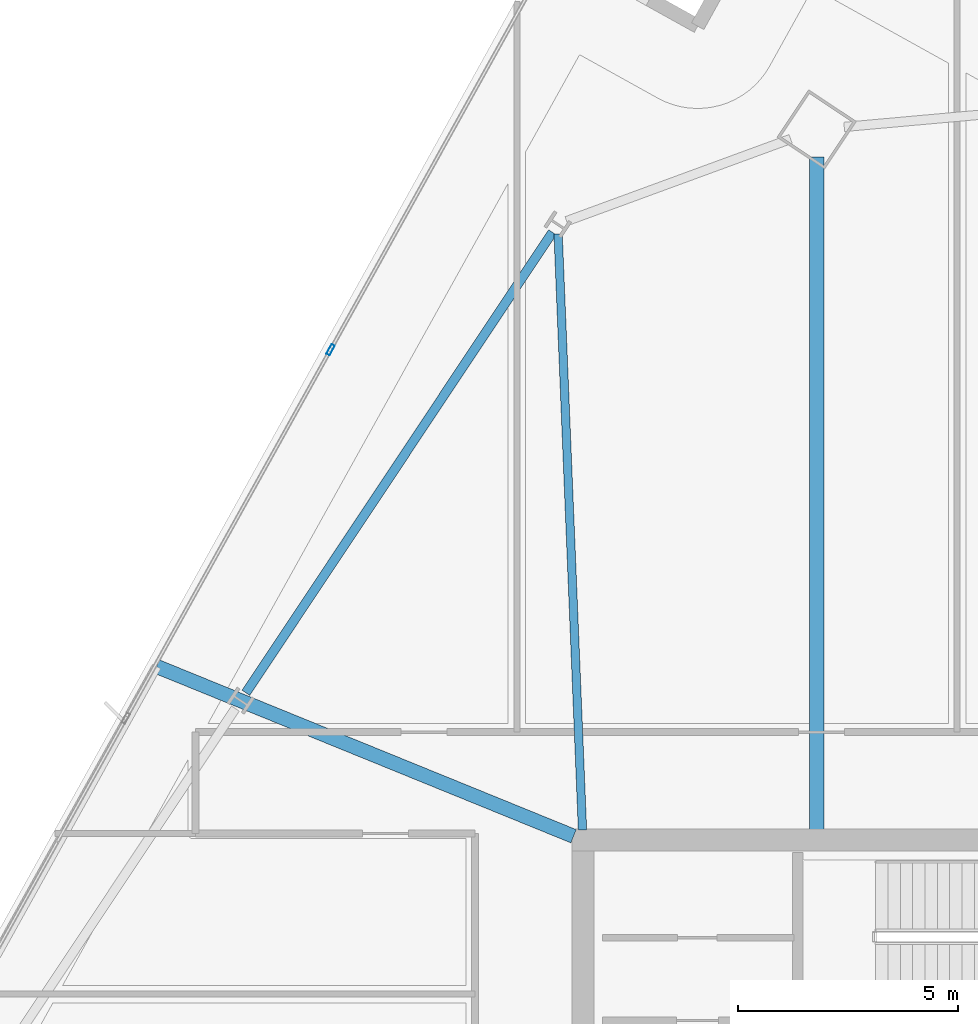
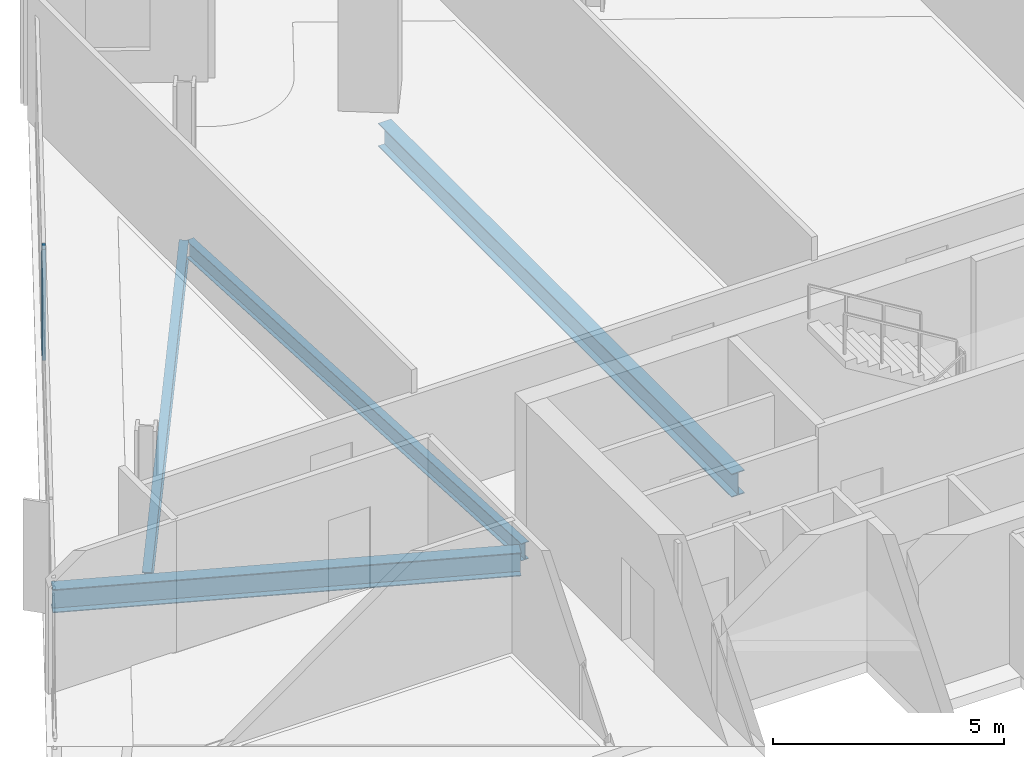
# One storey, part 13 of 28: 4 beams, 1 member, 1 element without a shape of its own.
"""IFC4 building model written with IfcOpenShell, lengths in metres."""

from ifc_helpers import new_model, si_unit, direction, frame, origin, origin_2d, place, context, subcontext, project, spatial, hollow_rectangle, i_section, extrude, material, material_profile, profile_set, type_object, element, aggregate, save


model = new_model("IFC4")

# Units and contexts
model_context = context("Model", 3, precision=1e-05, world=origin(), true_north=direction((0.0, 1.0)))
body_context = subcontext(model_context, "Body", "Model", "MODEL_VIEW")
ifc_project = project(units=[si_unit("LENGTHUNIT", "METRE"), si_unit("AREAUNIT", "SQUARE_METRE"), si_unit("VOLUMEUNIT", "CUBIC_METRE"), si_unit("PLANEANGLEUNIT", "RADIAN"), si_unit("MASSUNIT", "GRAM", prefix="KILO")], contexts=[model_context])

# Site, building, storey
site_placement = place(None, origin())
site = spatial("IfcSite", under=ifc_project, at=site_placement, CompositionType="ELEMENT")
building_placement = place(site_placement, origin())
building = spatial("IfcBuilding", under=site, at=building_placement, Name="Haldenkirk Collegiate Tower", CompositionType="ELEMENT")
storey_placement = place(building_placement, frame((0.0, 0.0, 232.199951171875)))
storey = spatial("IfcBuildingStorey", under=building, at=storey_placement, Name="L58", CompositionType="ELEMENT", Elevation=232.199951171875)

# Beams
ifc_material_1 = material(Name="Steel ASTM A992 Grade 50", Category="steel")
ifc_material_profile_1 = material_profile(ifc_material_1, i_section(OverallWidth=0.324951171875, OverallDepth=0.615966796875, WebThickness=0.013916015625, FlangeThickness=0.021484375, at=origin_2d()), Name="W24X117")
ifc_profile_set_1 = profile_set([ifc_material_profile_1], Name="Steel ASTM A992 Grade 50")
beam_type_1 = type_object("IfcBeamType", Name="BM-GIRDER-W24X117", PredefinedType="BEAM", material=ifc_profile_set_1)
beam_1_placement = place(storey_placement, frame((32.30810546875, 49.5107421875, -0.587890625), z_axis=(0.0, -1.0, 0.0), x_axis=(1.0, 0.0, 0.0)))
element("IfcBeam", 1, at=beam_1_placement, inside=storey, type_object=beam_type_1, Name="L58 primary floor girder 03", PredefinedType="BEAM", context=body_context, shape_type="SweptSolid", body=[
    extrude(i_section(OverallWidth=0.324951171875, OverallDepth=0.615966796875, WebThickness=0.013916015625, FlangeThickness=0.021484375, at=origin_2d()), origin(), (0.0, 0.0, 1.0), 15.28076171875),
])
beam_2_placement = place(storey_placement, frame((17.318603515625, 37.9423828125, -0.587890625), z_axis=(0.926154773351, -0.377143654063, 0.0), x_axis=(0.377143654063, 0.926154773351, 0.0)))
element("IfcBeam", 2, at=beam_2_placement, inside=storey, type_object=beam_type_1, Name="L58 primary floor girder 12", PredefinedType="BEAM", context=body_context, shape_type="SweptSolid", body=[
    extrude(i_section(OverallWidth=0.324951171875, OverallDepth=0.615966796875, WebThickness=0.013916015625, FlangeThickness=0.021484375, at=origin_2d()), origin(), (0.0, 0.0, 1.0), 10.223388671875),
])
ifc_material_profile_2 = material_profile(ifc_material_1, i_section(OverallWidth=0.18994140625, OverallDepth=0.45703125, WebThickness=0.009033203125, FlangeThickness=0.014404296875, at=origin_2d()), Name="W18X50")
ifc_profile_set_2 = profile_set([ifc_material_profile_2], Name="Steel ASTM A992 Grade 50")
beam_type_2 = type_object("IfcBeamType", Name="BM-JOIST-W18X50", PredefinedType="JOIST", material=ifc_profile_set_2)
beam_3_placement = place(storey_placement, frame((26.4365234375, 47.76708984375, -0.508544921875), z_axis=(0.040886268065, -0.999163806932, 0.0), x_axis=(0.999163806932, 0.040886268065, 0.0)))
element("IfcBeam", 3, at=beam_3_placement, inside=storey, type_object=beam_type_2, Name="L58 composite floor joist 11", PredefinedType="JOIST", context=body_context, shape_type="SweptSolid", body=[
    extrude(i_section(OverallWidth=0.18994140625, OverallDepth=0.45703125, WebThickness=0.009033203125, FlangeThickness=0.014404296875, at=origin_2d()), origin(), (0.0, 0.0, 1.0), 13.548583984375),
])
ifc_material_profile_3 = material_profile(ifc_material_1, i_section(OverallWidth=0.2099609375, OverallDepth=0.537109375, WebThickness=0.010986328125, FlangeThickness=0.017333984375, at=origin_2d()), Name="W21X68")
ifc_profile_set_3 = profile_set([ifc_material_profile_3], Name="Steel ASTM A992 Grade 50")
beam_type_3 = type_object("IfcBeamType", Name="BM-SPANDREL-W21X68", PredefinedType="SPANDREL", material=ifc_profile_set_3)
beam_4_placement = place(storey_placement, frame((26.3076171875, 47.80322265625, -0.54833984375), z_axis=(-0.554125989098, -0.832432813028, 0.0), x_axis=(0.832432813028, -0.554125989098, 0.0)))
element("IfcBeam", 4, at=beam_4_placement, inside=storey, type_object=beam_type_3, Name="L58 perimeter spandrel beam 10", PredefinedType="SPANDREL", context=body_context, shape_type="SweptSolid", body=[
    extrude(i_section(OverallWidth=0.2099609375, OverallDepth=0.537109375, WebThickness=0.010986328125, FlangeThickness=0.017333984375, at=origin_2d()), origin(), (0.0, 0.0, 1.0), 12.56201171875),
])

# Curtain wall, member
ifc_material_2 = material(Name="Anodised architectural bronze aluminium", Category="aluminium")
curtain_wall_type = type_object("IfcCurtainWallType", Name="CW-SYS1B-CONVEX-HI", PredefinedType="USERDEFINED", material=ifc_material_2)
curtain_wall_placement = place(storey_placement, origin())
curtain_wall = element("IfcCurtainWall", 5, at=curtain_wall_placement, inside=storey, type_object=curtain_wall_type, Name="L58 Upper tower high-wind convex bronze unitised curtain wall", ObjectType="UNITISED CURTAIN WALL", PredefinedType="USERDEFINED")
ifc_material_profile_4 = material_profile(ifc_material_2, hollow_rectangle(XDim=0.0849609375, YDim=0.25, WallThickness=0.0048828125, at=origin_2d()), Name="CW-MUL-1B")
ifc_profile_set_4 = profile_set([ifc_material_profile_4], Name="Anodised architectural bronze aluminium")
member_type = type_object("IfcMemberType", Name="CW-MUL-1B", PredefinedType="MULLION", material=ifc_profile_set_4)
member_placement = place(storey_placement, frame((21.2685546875, 45.135498046875, 0.0), z_axis=(0.0, 0.0, 1.0), x_axis=(-0.874196560948, 0.485572211753, 0.0)))
member = element("IfcMember", 6, at=member_placement, type_object=member_type, Name="CW-1B mullion 4", PredefinedType="MULLION", context=body_context, shape_type="SweptSolid", body=[
    extrude(hollow_rectangle(XDim=0.0849609375, YDim=0.25, WallThickness=0.0048828125, at=origin_2d()), origin(), (0.0, 0.0, 1.0), 2.927978515625),
])
aggregate(curtain_wall, [member])

save(model, "model.ifc")
